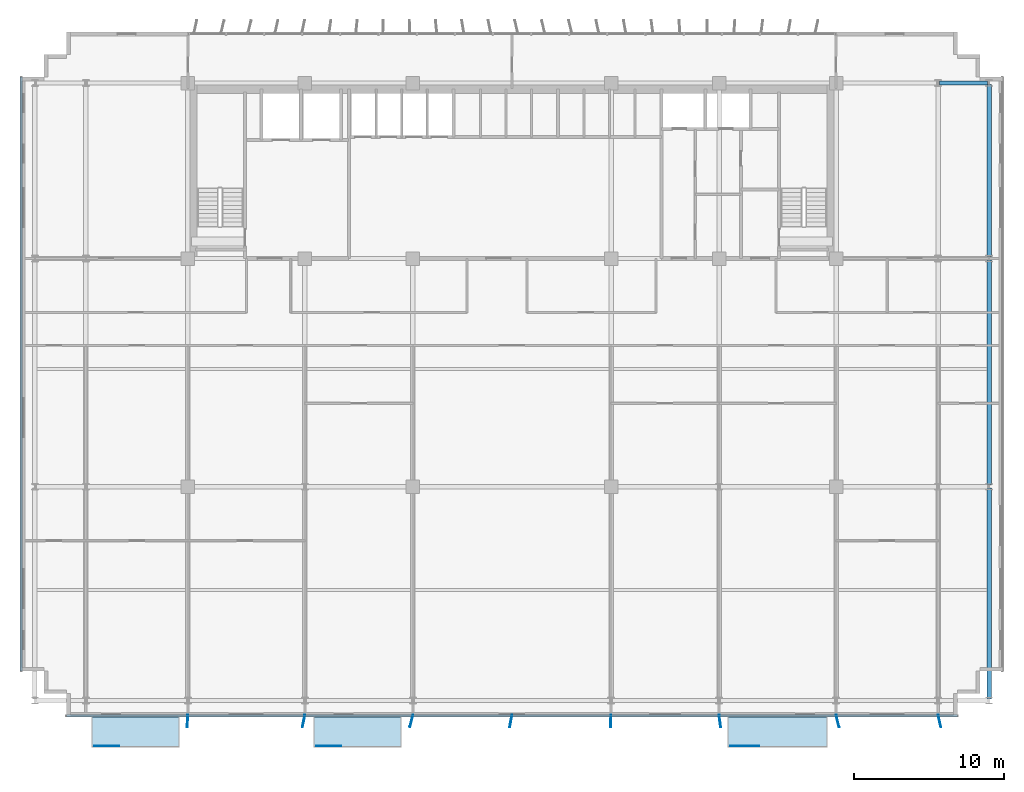
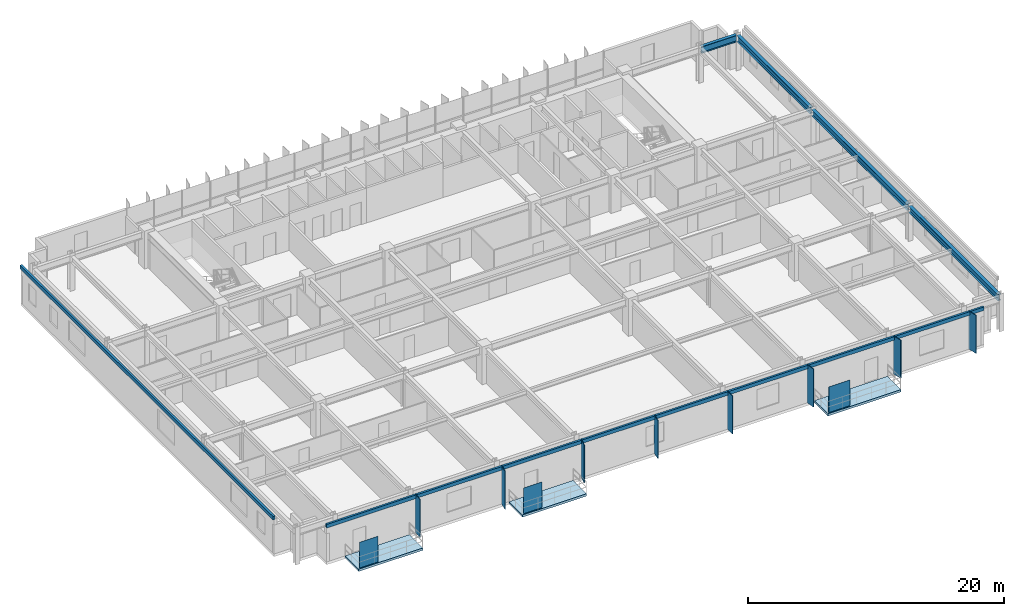
# One storey, part 13 of 21: 13 plates, 4 beams, 3 slabs.
"""IFC4 building model written with IfcOpenShell, lengths in metres."""

from ifc_helpers import new_model, si_unit, direction, frame, origin, origin_2d, place, context, subcontext, project, spatial, polyline, rectangle, i_section, outline, extrude, source, transform, mapped, material, layer, layer_set, material_profile, profile_set, type_object, element, save


model = new_model("IFC4")

# Units and contexts
model_context = context("Model", 3, precision=1e-05, world=origin(), true_north=direction((0.0, 1.0)))
body_context = subcontext(model_context, "Body", "Model", "MODEL_VIEW")
ifc_project = project(units=[si_unit("LENGTHUNIT", "METRE"), si_unit("AREAUNIT", "SQUARE_METRE"), si_unit("VOLUMEUNIT", "CUBIC_METRE"), si_unit("PLANEANGLEUNIT", "RADIAN"), si_unit("MASSUNIT", "GRAM", prefix="KILO")], contexts=[model_context])

# Site, building, storey
site_placement = place(None, origin())
site = spatial("IfcSite", under=ifc_project, at=site_placement, CompositionType="ELEMENT")
building_placement = place(site_placement, origin())
building = spatial("IfcBuilding", under=site, at=building_placement, Name="Trelvane Seafront Commons", CompositionType="ELEMENT")
storey_placement = place(building_placement, frame((0.0, 0.0, 41.5)))
storey = spatial("IfcBuildingStorey", under=building, at=storey_placement, Name="L10", CompositionType="ELEMENT", Elevation=41.5)

# Beams
ifc_material_1 = material(Name="Steel SM355 (S355)", Category="steel")
ifc_material_profile_1 = material_profile(ifc_material_1, i_section(OverallWidth=0.280029296875, OverallDepth=0.64990234375, WebThickness=0.012939453125, FlangeThickness=0.02197265625, at=origin_2d()), Name="H-650x280x13x22")
ifc_profile_set_1 = profile_set([ifc_material_profile_1], Name="Steel SM355 (S355)")
beam_type_1 = type_object("IfcBeamType", Name="STR-BM-H650", PredefinedType="BEAM", material=ifc_profile_set_1)
shared_shape_1 = source(origin(), body_context, "Body", "SweptSolid", [
    extrude(i_section(OverallWidth=0.280029296875, OverallDepth=0.64990234375, WebThickness=0.012939453125, FlangeThickness=0.02197265625, at=origin_2d()), origin(), (0.0, 0.0, 1.0), 3.18994140625),
])
beam_1_placement = place(storey_placement, frame((65.705078125, 45.10009765625, 3.014892578125), z_axis=(1.0, 0.0, 0.0), x_axis=(0.0, 1.0, 0.0)))
element("IfcBeam", 1, at=beam_1_placement, inside=storey, type_object=beam_type_1, Name="L10 Primary Girder G-36", PredefinedType="BEAM", context=body_context, shape_type="MappedRepresentation", body=[
    mapped(shared_shape_1, transform((0.0, 0.0, 0.0), x_axis=(1.0, 0.0, 0.0), y_axis=(0.0, 1.0, 0.0), z_axis=(0.0, 0.0, 1.0), scale=1.0)),
])
ifc_material_profile_2 = material_profile(ifc_material_1, i_section(OverallWidth=0.300048828125, OverallDepth=0.587890625, WebThickness=0.011962890625, FlangeThickness=0.02001953125, at=origin_2d()), Name="H-588x300x12x20")
ifc_profile_set_2 = profile_set([ifc_material_profile_2], Name="Steel SM355 (S355)")
beam_type_2 = type_object("IfcBeamType", Name="STR-BM-H588", PredefinedType="BEAM", material=ifc_profile_set_2)
shared_shape_2 = source(origin(), body_context, "Body", "SweptSolid", [
    extrude(i_section(OverallWidth=0.300048828125, OverallDepth=0.587890625, WebThickness=0.011962890625, FlangeThickness=0.02001953125, at=origin_2d()), origin(), (0.0, 0.0, 1.0), 14.0400390625),
])
beam_2_placement = place(storey_placement, frame((69.0, 4.054931640625, 3.0458984375), z_axis=(0.0, 1.0, 0.0), x_axis=(-1.0, 0.0, 0.0)))
element("IfcBeam", 2, at=beam_2_placement, inside=storey, type_object=beam_type_2, Name="L10 Primary Girder G-64", PredefinedType="BEAM", context=body_context, shape_type="MappedRepresentation", body=[
    mapped(shared_shape_2, transform((0.0, 0.0, 0.0), x_axis=(1.0, 0.0, 0.0), y_axis=(0.0, 1.0, 0.0), z_axis=(0.0, 0.0, 1.0), scale=1.0)),
])
shared_shape_3 = source(origin(), body_context, "Body", "SweptSolid", [
    extrude(i_section(OverallWidth=0.300048828125, OverallDepth=0.587890625, WebThickness=0.011962890625, FlangeThickness=0.02001953125, at=origin_2d()), origin(), (0.0, 0.0, 1.0), 14.989990234375),
])
beam_3_placement = place(storey_placement, frame((69.0, 18.304931640625, 3.0458984375), z_axis=(0.0, 1.0, 0.0), x_axis=(-1.0, 0.0, 0.0)))
element("IfcBeam", 3, at=beam_3_placement, inside=storey, type_object=beam_type_2, Name="L10 Primary Girder G-65", PredefinedType="BEAM", context=body_context, shape_type="MappedRepresentation", body=[
    mapped(shared_shape_3, transform((0.0, 0.0, 0.0), x_axis=(1.0, 0.0, 0.0), y_axis=(0.0, 1.0, 0.0), z_axis=(0.0, 0.0, 1.0), scale=1.0)),
])
shared_shape_4 = source(origin(), body_context, "Body", "SweptSolid", [
    extrude(i_section(OverallWidth=0.300048828125, OverallDepth=0.587890625, WebThickness=0.011962890625, FlangeThickness=0.02001953125, at=origin_2d()), origin(), (0.0, 0.0, 1.0), 11.490234375),
])
beam_4_placement = place(storey_placement, frame((69.0, 33.5048828125, 3.0458984375), z_axis=(0.0, 1.0, 0.0), x_axis=(-1.0, 0.0, 0.0)))
element("IfcBeam", 4, at=beam_4_placement, inside=storey, type_object=beam_type_2, Name="L10 Primary Girder G-66", PredefinedType="BEAM", context=body_context, shape_type="MappedRepresentation", body=[
    mapped(shared_shape_4, transform((0.0, 0.0, 0.0), x_axis=(1.0, 0.0, 0.0), y_axis=(0.0, 1.0, 0.0), z_axis=(0.0, 0.0, 1.0), scale=1.0)),
])

# Slabs
ifc_material_2 = material(Name="Concrete C40/50", Category="concrete")
ifc_layer_1 = layer(ifc_material_2, 0.219970703125, Name="ARCH-BALC-220")
ifc_layer_set_1 = layer_set([ifc_layer_1], Name="Concrete C40/50")
slab_type = type_object("IfcSlabType", Name="ARCH-BALC-220", PredefinedType="FLOOR", material=ifc_layer_set_1)
slab_1_placement = place(storey_placement, frame((0.0, 0.0, -0.219970703125)))
element("IfcSlab", 5, at=slab_1_placement, inside=storey, type_object=slab_type, Name="L10 Cantilevered Tree Balcony Loggia 1", PredefinedType="FLOOR", context=body_context, shape_type="SweptSolid", body=[
    extrude(outline(polyline([(9.199951171875, 0.800048828125), (15.0, 0.800048828125), (15.0, 2.89990234375), (9.199951171875, 2.89990234375), (9.199951171875, 0.800048828125)])), origin(), (0.0, 0.0, 1.0), 0.219970703125),
])
slab_2_placement = place(storey_placement, frame((0.0, 0.0, -0.219970703125)))
element("IfcSlab", 6, at=slab_2_placement, inside=storey, type_object=slab_type, Name="L10 Cantilevered Tree Balcony Loggia 2", PredefinedType="FLOOR", context=body_context, shape_type="SweptSolid", body=[
    extrude(outline(polyline([(24.0, 0.800048828125), (29.800048828125, 0.800048828125), (29.800048828125, 2.89990234375), (24.0, 2.89990234375), (24.0, 0.800048828125)])), origin(), (0.0, 0.0, 1.0), 0.219970703125),
])
slab_3_placement = place(storey_placement, frame((0.0, 0.0, -0.219970703125)))
element("IfcSlab", 7, at=slab_3_placement, inside=storey, type_object=slab_type, Name="L10 Cantilevered Tree Balcony Loggia 3", PredefinedType="FLOOR", context=body_context, shape_type="SweptSolid", body=[
    extrude(outline(polyline([(51.60009765625, 0.800048828125), (58.199951171875, 0.800048828125), (58.199951171875, 2.89990234375), (51.60009765625, 2.89990234375), (51.60009765625, 0.800048828125)])), origin(), (0.0, 0.0, 1.0), 0.219970703125),
])

# Plates
ifc_material_3 = material(Name="Perforated anodised aluminium screen", Category="aluminium")
ifc_layer_2 = layer(ifc_material_3, 0.01611328125, Name="ARCH-PLATE-SCREEN")
ifc_layer_set_2 = layer_set([ifc_layer_2], Name="Perforated anodised aluminium screen")
plate_type_1 = type_object("IfcPlateType", Name="ARCH-PLATE-SCREEN", PredefinedType="USERDEFINED", material=ifc_layer_set_2)
shared_shape_5 = source(origin(), body_context, "Body", "SweptSolid", [
    extrude(rectangle(XDim=1.9140625, YDim=0.01611328125, at=origin_2d()), origin(), (0.0, 0.0, 1.0), 2.449951171875),
])
plate_1_placement = place(storey_placement, frame((52.70703125, 0.919921875, 0.0), z_axis=(0.0, 0.0, 1.0), x_axis=(1.0, 0.0, 0.0)))
element("IfcPlate", 8, at=plate_1_placement, inside=storey, type_object=plate_type_1, Name="SCR-L10-00038", ObjectType="SCREEN", PredefinedType="USERDEFINED", context=body_context, shape_type="MappedRepresentation", body=[
    mapped(shared_shape_5, transform((0.0, 0.0, 0.0), x_axis=(1.0, 0.0, 0.0), y_axis=(0.0, 1.0, 0.0), z_axis=(0.0, 0.0, 1.0), scale=1.0)),
])
shared_shape_6 = source(origin(), body_context, "Body", "SweptSolid", [
    extrude(rectangle(XDim=1.681884765625, YDim=0.01611328125, at=origin_2d()), origin(), (0.0, 0.0, 1.0), 2.449951171875),
])
for number, where, z_axis, x_axis, name in (
    (9, (10.19091796875, 0.919921875, 0.0), (0.0, 0.0, 1.0), (1.0, 0.0, 0.0), "SCR-L10-00036"),
    (10, (24.990966796875, 0.919921875, 0.0), (0.0, 0.0, 1.0), (1.0, 0.0, 0.0), "SCR-L10-00037"),
):
    element("IfcPlate", number, at=place(storey_placement, frame(where, z_axis=z_axis, x_axis=x_axis)), inside=storey, type_object=plate_type_1, Name=name, ObjectType="SCREEN", PredefinedType="USERDEFINED", context=body_context, shape_type="MappedRepresentation", body=[
        mapped(shared_shape_6, transform((0.0, 0.0, 0.0), x_axis=(1.0, 0.0, 0.0), y_axis=(0.0, 1.0, 0.0), z_axis=(0.0, 0.0, 1.0), scale=1.0)),
    ])
ifc_material_4 = material(Name="Anodised pale-silver aluminium", Category="aluminium")
ifc_layer_3 = layer(ifc_material_4, 0.06005859375, Name="ARCH-PLATE-FIN900")
ifc_layer_set_3 = layer_set([ifc_layer_3], Name="Anodised pale-silver aluminium")
plate_type_2 = type_object("IfcPlateType", Name="ARCH-PLATE-FIN900", PredefinedType="USERDEFINED", material=ifc_layer_set_3)
shared_shape_7 = source(origin(), body_context, "Body", "SweptSolid", [
    extrude(rectangle(XDim=0.85009765625, YDim=0.06005859375, at=origin_2d()), origin(), (0.0, 0.0, 1.0), 3.639892578125),
])
for number, where, z_axis, x_axis, name in (
    (11, (15.576416015625, 2.57568359375, -0.02001953125), (0.0, 0.0, 1.0), (-0.055528744475, -0.998457088981, 0.0), "FIN-S-L10-00188"),
    (12, (23.3173828125, 2.5830078125, -0.02001953125), (0.0, 0.0, 1.0), (-0.194463765929, -0.980909702134, 0.0), "FIN-S-L10-00189"),
    (13, (30.497314453125, 2.587646484375, -0.02001953125), (0.0, 0.0, 1.0), (-0.241539149064, -0.970391075531, 0.0), "FIN-S-L10-00190"),
    (14, (37.125, 2.58154296875, -0.02001953125), (0.0, 0.0, 1.0), (-0.176462881187, -0.984307295291, 0.0), "FIN-S-L10-00191"),
    (15, (43.788330078125, 2.5751953125, -0.02001953125), (0.0, 0.0, 1.0), (-0.027410453004, -0.999624262944, 0.0), "FIN-S-L10-00192"),
    (16, (51.057373046875, 2.578857421875, -0.02001953125), (0.0, 0.0, 1.0), (0.135060183121, -0.990837396819, 0.0), "FIN-S-L10-00193"),
    (17, (58.898681640625, 2.586669921875, -0.02001953125), (0.0, 0.0, 1.0), (0.232474503244, -0.972602490919, 0.0), "FIN-S-L10-00194"),
    (18, (65.694091796875, 2.585693359375, -0.02001953125), (0.0, 0.0, 1.0), (0.22152467016, -0.975154767465, 0.0), "FIN-S-L10-00195"),
):
    element("IfcPlate", number, at=place(storey_placement, frame(where, z_axis=z_axis, x_axis=x_axis)), inside=storey, type_object=plate_type_2, Name=name, ObjectType="FIN", PredefinedType="USERDEFINED", context=body_context, shape_type="MappedRepresentation", body=[
        mapped(shared_shape_7, transform((0.0, 0.0, 0.0), x_axis=(1.0, 0.0, 0.0), y_axis=(0.0, 1.0, 0.0), z_axis=(0.0, 0.0, 1.0), scale=1.0)),
    ])
ifc_layer_4 = layer(ifc_material_4, 0.179931640625, Name="ARCH-PLATE-AERO")
ifc_layer_set_4 = layer_set([ifc_layer_4], Name="Anodised pale-silver aluminium")
plate_type_3 = type_object("IfcPlateType", Name="ARCH-PLATE-AERO", PredefinedType="SHEET", material=ifc_layer_set_4)
shared_shape_8 = source(origin(), body_context, "Body", "SweptSolid", [
    extrude(rectangle(XDim=39.60009765625, YDim=0.179931640625, at=origin_2d()), origin(), (0.0, 0.0, 1.0), 0.340087890625),
])
plate_2_placement = place(storey_placement, frame((4.5, 25.699951171875, 3.27978515625), z_axis=(0.0, 0.0, 1.0), x_axis=(0.0, 1.0, 0.0)))
element("IfcPlate", 19, at=plate_2_placement, inside=storey, type_object=plate_type_3, Name="AER-L10-00034", PredefinedType="SHEET", context=body_context, shape_type="MappedRepresentation", body=[
    mapped(shared_shape_8, transform((0.0, 0.0, 0.0), x_axis=(1.0, 0.0, 0.0), y_axis=(0.0, 1.0, 0.0), z_axis=(0.0, 0.0, 1.0), scale=1.0)),
])
shared_shape_9 = source(origin(), body_context, "Body", "SweptSolid", [
    extrude(rectangle(XDim=59.39990234375, YDim=0.179931640625, at=origin_2d()), origin(), (0.0, 0.0, 1.0), 0.340087890625),
])
plate_3_placement = place(storey_placement, frame((37.199951171875, 2.93994140625, 3.27978515625), z_axis=(0.0, 0.0, 1.0), x_axis=(-1.0, 0.0, 0.0)))
element("IfcPlate", 20, at=plate_3_placement, inside=storey, type_object=plate_type_3, Name="AER-S-L10-00039", PredefinedType="SHEET", context=body_context, shape_type="MappedRepresentation", body=[
    mapped(shared_shape_9, transform((0.0, 0.0, 0.0), x_axis=(1.0, 0.0, 0.0), y_axis=(0.0, 1.0, 0.0), z_axis=(0.0, 0.0, 1.0), scale=1.0)),
])

save(model, "model.ifc")
